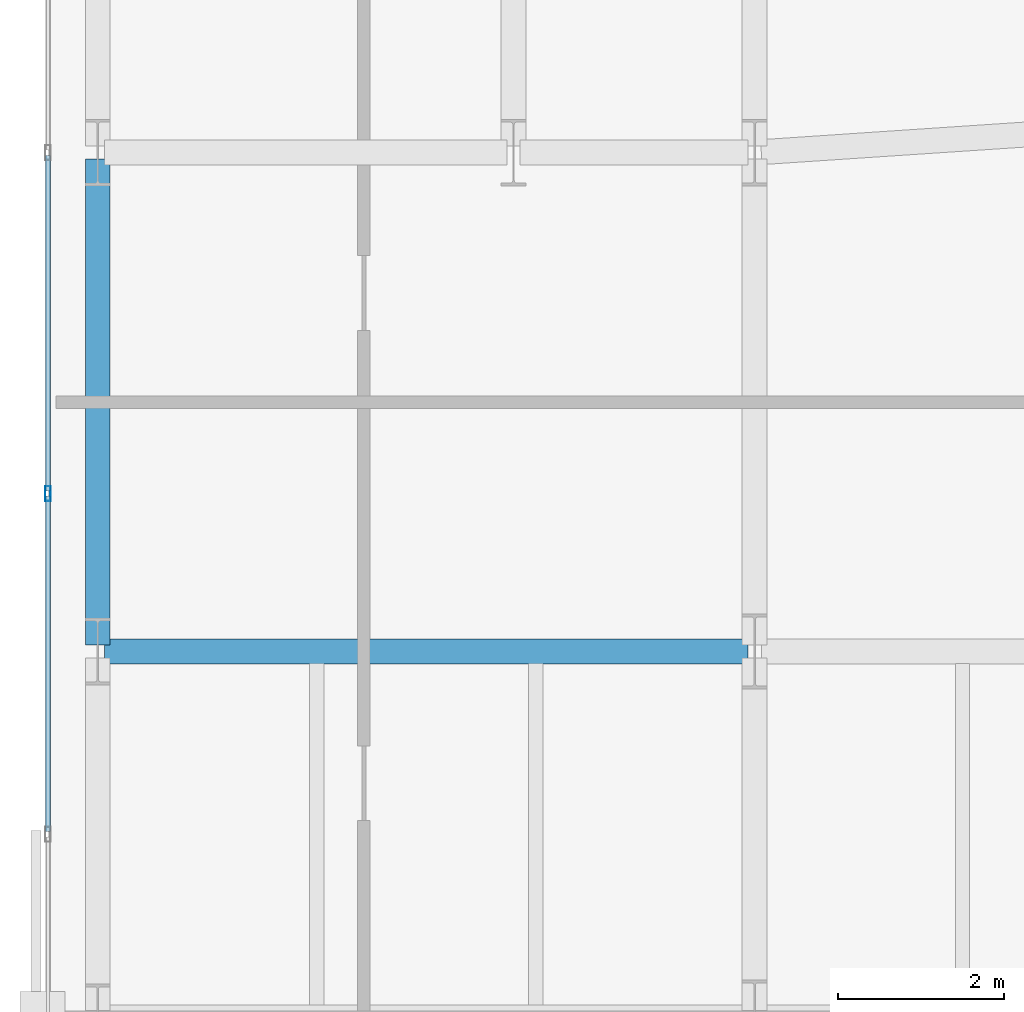
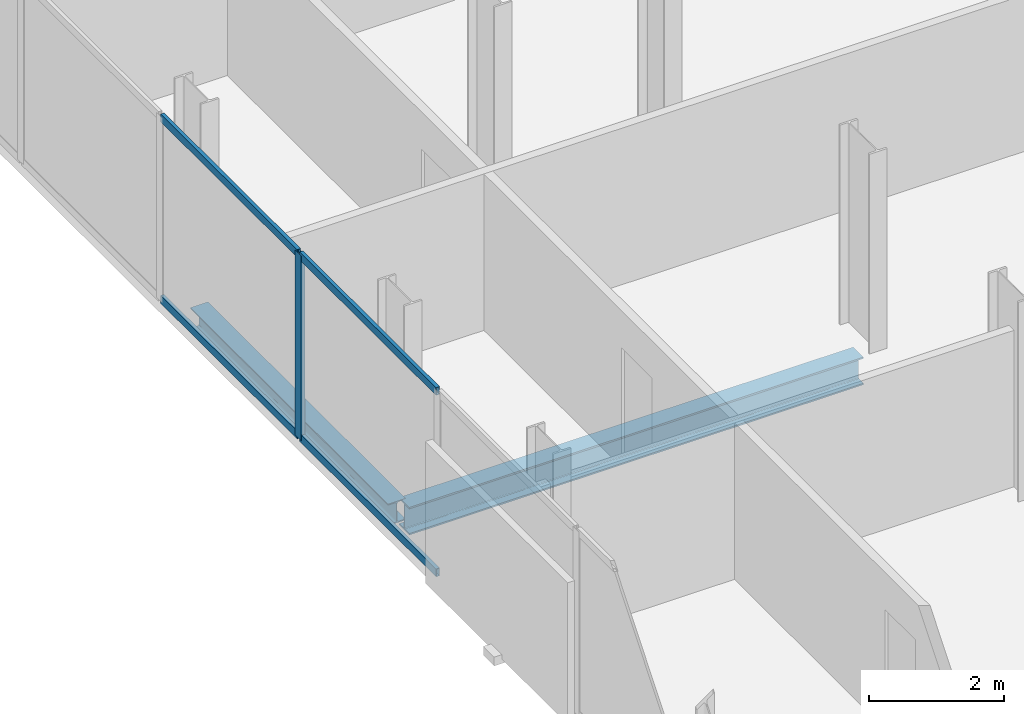
# One storey, part 9 of 33: 5 members, 2 beams, 1 element without a shape of its own.
"""IFC4 building model written with IfcOpenShell, lengths in metres."""

from ifc_helpers import new_model, si_unit, direction, frame, origin, origin_2d, place, context, subcontext, project, spatial, hollow_rectangle, i_section, extrude, material, layer, layer_set, material_profile, profile_set, type_object, element, aggregate, save


model = new_model("IFC4")

# Units and contexts
model_context = context("Model", 3, precision=1e-05, world=origin(), true_north=direction((0.0, 1.0)))
body_context = subcontext(model_context, "Body", "Model", "MODEL_VIEW")
ifc_project = project(units=[si_unit("LENGTHUNIT", "METRE"), si_unit("AREAUNIT", "SQUARE_METRE"), si_unit("VOLUMEUNIT", "CUBIC_METRE"), si_unit("PLANEANGLEUNIT", "RADIAN"), si_unit("MASSUNIT", "GRAM", prefix="KILO")], contexts=[model_context])

# Site, building, storey
site_placement = place(None, origin())
site = spatial("IfcSite", under=ifc_project, at=site_placement, CompositionType="ELEMENT")
building_placement = place(site_placement, origin())
building = spatial("IfcBuilding", under=site, at=building_placement, Name="Catumbela Crestline Tower", CompositionType="ELEMENT")
storey_placement = place(building_placement, frame((0.0, 0.0, 54.6)))
storey = spatial("IfcBuildingStorey", under=building, at=storey_placement, Name="L13", CompositionType="ELEMENT", Elevation=54.6)

# Beam
ifc_material_1 = material(Name="Structural steel S355J2", Category="steel")
ifc_material_profile_1 = material_profile(ifc_material_1, i_section(OverallWidth=0.3, OverallDepth=0.5, WebThickness=0.0145, FlangeThickness=0.028, FilletRadius=0.027, at=origin_2d()), Name="HEB 500")
ifc_profile_set_1 = profile_set([ifc_material_profile_1], Name="Structural steel S355J2")
beam_type_1 = type_object("IfcBeamType", Name="BG-HEB500", PredefinedType="BEAM", material=ifc_profile_set_1)
beam_1_placement = place(storey_placement, frame((0.68, 18.0, -0.51), z_axis=(1.0, 0.0, 0.0), x_axis=(0.0, 1.0, 0.0)))
element("IfcBeam", 1, at=beam_1_placement, inside=storey, type_object=beam_type_1, Name="L13 Beam BM-L13-WEW54", PredefinedType="BEAM", context=body_context, shape_type="SweptSolid", body=[
    extrude(i_section(OverallWidth=0.3, OverallDepth=0.5, WebThickness=0.0145, FlangeThickness=0.028, FilletRadius=0.027, at=origin_2d()), origin(), (0.0, 0.0, 1.0), 7.74),
])

# Curtain wall, member
ifc_material_2 = material(Name="Aluminium alloy AW-6060-T66", Category="aluminium")
ifc_layer = layer(ifc_material_2, 0.18, Name="Aluminium alloy AW-6060-T66")
ifc_layer_set = layer_set([ifc_layer], Name="Aluminium alloy AW-6060-T66")
curtain_wall_type = type_object("IfcCurtainWallType", Name="CWU-Z1", PredefinedType="USERDEFINED", material=ifc_layer_set)
curtain_wall_placement = place(storey_placement, origin())
curtain_wall = element("IfcCurtainWall", 2, at=curtain_wall_placement, inside=storey, type_object=curtain_wall_type, Name="L13 Unitised Curtain Wall CW-L13-E9S1", ObjectType="UNITISED", PredefinedType="USERDEFINED")
ifc_material_profile_2 = material_profile(ifc_material_2, hollow_rectangle(XDim=0.065, YDim=0.18, WallThickness=0.004, at=origin_2d()), Name="ALU 180x65x4")
ifc_profile_set_2 = profile_set([ifc_material_profile_2], Name="Aluminium alloy AW-6060-T66")
member_type_1 = type_object("IfcMemberType", Name="MUL-180X65", PredefinedType="MULLION", material=ifc_profile_set_2)
member_1_placement = place(storey_placement, frame((0.0, 19.9, 0.0), z_axis=(0.0, 0.0, 1.0), x_axis=(1.0, 0.0, 0.0)))
member_1 = element("IfcMember", 3, at=member_1_placement, type_object=member_type_1, Name="CWU-Z1 mullion 7", PredefinedType="MULLION", context=body_context, shape_type="SweptSolid", body=[
    extrude(hollow_rectangle(XDim=0.065, YDim=0.18, WallThickness=0.004, at=origin_2d()), origin(), (0.0, 0.0, 1.0), 3.33),
])

# Beam
ifc_material_profile_3 = material_profile(ifc_material_1, i_section(OverallWidth=0.3, OverallDepth=0.39, WebThickness=0.011, FlangeThickness=0.019, FilletRadius=0.027, at=origin_2d()), Name="HEA 400")
ifc_profile_set_3 = profile_set([ifc_material_profile_3], Name="Structural steel S355J2")
beam_type_2 = type_object("IfcBeamType", Name="BS-HEA400", PredefinedType="SPANDREL", material=ifc_profile_set_3)
beam_2_placement = place(storey_placement, frame((0.6, 18.08, -0.455), z_axis=(0.0, 1.0, 0.0), x_axis=(-1.0, 0.0, 0.0)))
element("IfcBeam", 4, at=beam_2_placement, inside=storey, type_object=beam_type_2, Name="L13 Spandrel SP-L13-WNS60", PredefinedType="SPANDREL", context=body_context, shape_type="SweptSolid", body=[
    extrude(i_section(OverallWidth=0.3, OverallDepth=0.39, WebThickness=0.011, FlangeThickness=0.019, FilletRadius=0.027, at=origin_2d()), origin(), (0.0, 0.0, 1.0), 5.84),
])

# Member
ifc_material_profile_4 = material_profile(ifc_material_2, hollow_rectangle(XDim=0.06, YDim=0.14, WallThickness=0.004, at=origin_2d()), Name="ALU 140x60x4")
ifc_profile_set_4 = profile_set([ifc_material_profile_4], Name="Aluminium alloy AW-6060-T66")
member_type_2 = type_object("IfcMemberType", Name="TRN-140X60", PredefinedType="USERDEFINED", material=ifc_profile_set_4)
member_2_placement = place(storey_placement, frame((0.0, 23.9675, 0.03), z_axis=(0.0, -1.0, 0.0), x_axis=(1.0, 0.0, 0.0)))
member_2 = element("IfcMember", 5, at=member_2_placement, type_object=member_type_2, Name="CWU-Z1 transom 6.1", ObjectType="TRANSOM", PredefinedType="USERDEFINED", context=body_context, shape_type="SweptSolid", body=[
    extrude(hollow_rectangle(XDim=0.06, YDim=0.14, WallThickness=0.004, at=origin_2d()), origin(), (0.0, 0.0, 1.0), 4.035),
])

member_3_placement = place(storey_placement, frame((0.0, 23.9675, 3.3), z_axis=(0.0, -1.0, 0.0), x_axis=(1.0, 0.0, 0.0)))
member_3 = element("IfcMember", 6, at=member_3_placement, type_object=member_type_2, Name="CWU-Z1 transom 6.2", ObjectType="TRANSOM", PredefinedType="USERDEFINED", context=body_context, shape_type="SweptSolid", body=[
    extrude(hollow_rectangle(XDim=0.06, YDim=0.14, WallThickness=0.004, at=origin_2d()), origin(), (0.0, 0.0, 1.0), 4.035),
])

member_4_placement = place(storey_placement, frame((0.0, 19.8675, 0.03), z_axis=(0.0, -1.0, 0.0), x_axis=(1.0, 0.0, 0.0)))
member_4 = element("IfcMember", 7, at=member_4_placement, type_object=member_type_2, Name="CWU-Z1 transom 7.1", ObjectType="TRANSOM", PredefinedType="USERDEFINED", context=body_context, shape_type="SweptSolid", body=[
    extrude(hollow_rectangle(XDim=0.06, YDim=0.14, WallThickness=0.004, at=origin_2d()), origin(), (0.0, 0.0, 1.0), 4.035),
])

member_5_placement = place(storey_placement, frame((0.0, 19.8675, 3.3), z_axis=(0.0, -1.0, 0.0), x_axis=(1.0, 0.0, 0.0)))
member_5 = element("IfcMember", 8, at=member_5_placement, type_object=member_type_2, Name="CWU-Z1 transom 7.2", ObjectType="TRANSOM", PredefinedType="USERDEFINED", context=body_context, shape_type="SweptSolid", body=[
    extrude(hollow_rectangle(XDim=0.06, YDim=0.14, WallThickness=0.004, at=origin_2d()), origin(), (0.0, 0.0, 1.0), 4.035),
])

aggregate(curtain_wall, [member_1, member_2, member_3, member_4, member_5])

save(model, "model.ifc")
